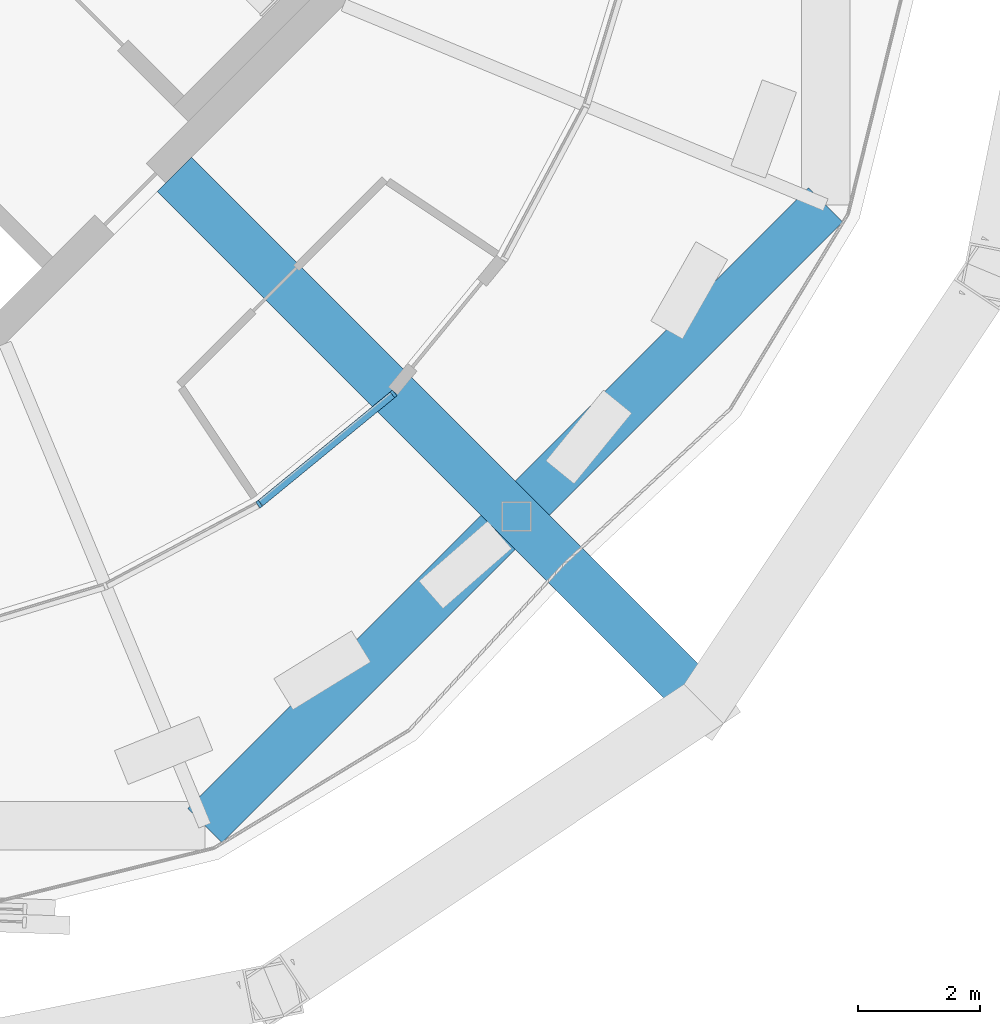
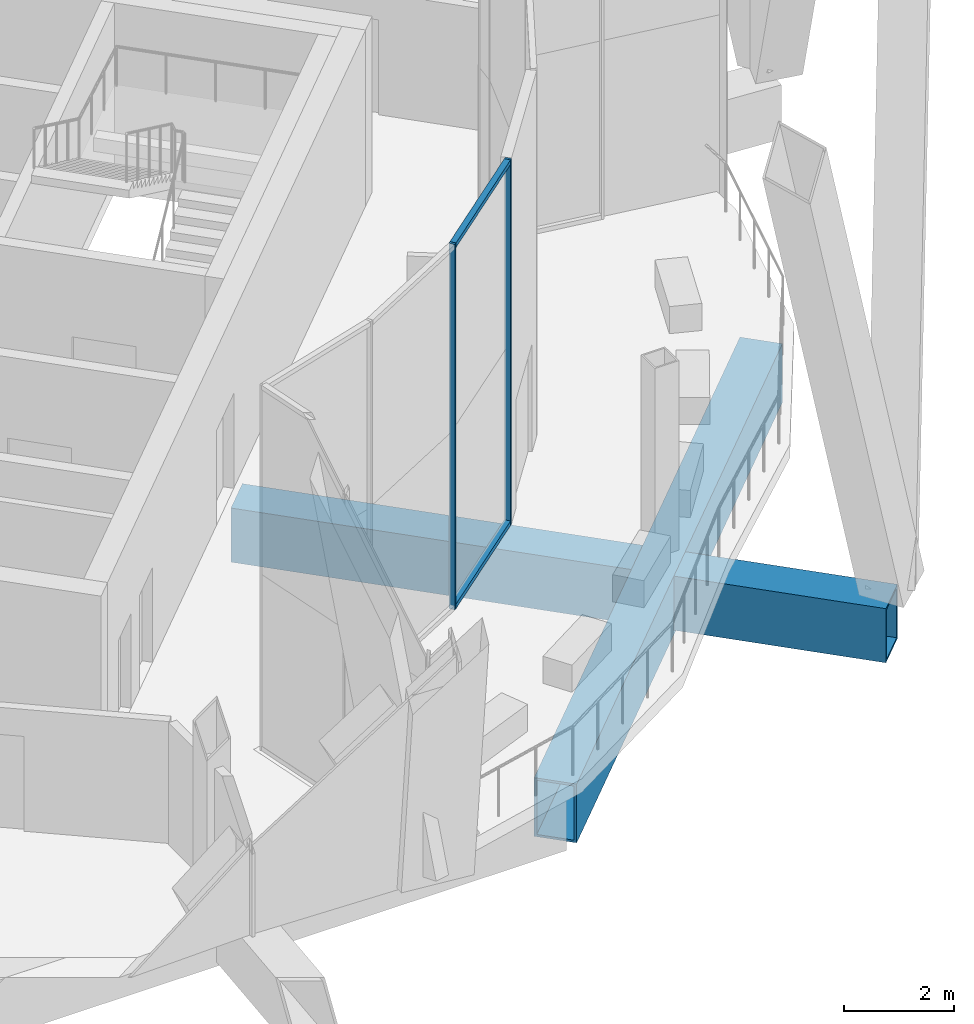
# One storey, part 18 of 38: 4 members, 2 beams, 1 element without a shape of its own.
"""IFC4 building model written with IfcOpenShell, lengths in metres."""

from ifc_helpers import new_model, si_unit, direction, frame, origin, origin_2d, place, context, subcontext, project, spatial, rectangle, hollow_rectangle, extrude, material, material_profile, profile_set, type_object, element, aggregate, save


model = new_model("IFC4")

# Units and contexts
model_context = context("Model", 3, precision=1e-05, world=origin(), true_north=direction((0.0, 1.0)))
body_context = subcontext(model_context, "Body", "Model", "MODEL_VIEW")
ifc_project = project(units=[si_unit("LENGTHUNIT", "METRE"), si_unit("AREAUNIT", "SQUARE_METRE"), si_unit("VOLUMEUNIT", "CUBIC_METRE"), si_unit("PLANEANGLEUNIT", "RADIAN"), si_unit("MASSUNIT", "GRAM", prefix="KILO")], contexts=[model_context])

# Site, building, storey
site_placement = place(None, origin())
site = spatial("IfcSite", under=ifc_project, at=site_placement, CompositionType="ELEMENT")
building_placement = place(site_placement, origin())
building = spatial("IfcBuilding", under=site, at=building_placement, Name="Ogive Gate Towers", CompositionType="ELEMENT")
storey_placement = place(building_placement, frame((0.0, 0.0, 268.800048828125)))
storey = spatial("IfcBuildingStorey", under=building, at=storey_placement, Name="L63", CompositionType="ELEMENT", Elevation=268.800048828125)

# Beam
ifc_material_1 = material(Name="Steel SM460", Category="steel")
ifc_material_profile_1 = material_profile(ifc_material_1, hollow_rectangle(XDim=0.800048828125, YDim=1.300048828125, WallThickness=0.050048828125, at=origin_2d()), Name="BX 1300x800x50")
ifc_profile_set_1 = profile_set([ifc_material_profile_1], Name="Steel SM460")
beam_type_1 = type_object("IfcBeamType", Name="Edge girder BX 1300x800x50", PredefinedType="BEAM", material=ifc_profile_set_1)
beam_1_placement = place(storey_placement, frame((43.217529296875, -17.42431640625, -0.949951171875), z_axis=(0.707106781187, 0.707106781187, 0.0), x_axis=(-0.707106781187, 0.707106781187, 0.0)))
element("IfcBeam", 1, at=beam_1_placement, inside=storey, type_object=beam_type_1, Name="T2/L63/SBM019", PredefinedType="BEAM", context=body_context, shape_type="SweptSolid", body=[
    extrude(hollow_rectangle(XDim=0.800048828125, YDim=1.300048828125, WallThickness=0.050048828125, at=origin_2d()), origin(), (0.0, 0.0, 1.0), 14.4345703125),
])

# Curtain wall, members
ifc_material_2 = material(Name="Pale metal aluminium", Category="aluminium")
curtain_wall_type = type_object("IfcCurtainWallType", Name="Sky garden glazing", PredefinedType="NOTDEFINED", material=ifc_material_2)
curtain_wall_placement = place(storey_placement, origin())
curtain_wall = element("IfcCurtainWall", 2, at=curtain_wall_placement, inside=storey, type_object=curtain_wall_type, Name="CW4 T2 ECW01", PredefinedType="NOTDEFINED")
ifc_material_profile_2 = material_profile(ifc_material_2, rectangle(XDim=0.1201171875, YDim=0.050048828125, at=origin_2d()), Name="50 x 120 aluminium box")
ifc_profile_set_2 = profile_set([ifc_material_profile_2], Name="Pale metal aluminium")
member_type_1 = type_object("IfcMemberType", Name="Sky garden glazing mullion 50 x 120", PredefinedType="MULLION", material=ifc_profile_set_2)
member_1_placement = place(storey_placement, frame((46.3212890625, -10.32666015625, 0.0), z_axis=(0.0, 0.0, 1.0), x_axis=(-0.634406775645, 0.772999380993, 0.0)))
member_1 = element("IfcMember", 3, at=member_1_placement, type_object=member_type_1, Name="CW4 mullion", PredefinedType="MULLION", context=body_context, shape_type="SweptSolid", body=[
    extrude(rectangle(XDim=0.1201171875, YDim=0.050048828125, at=origin_2d()), origin(), (0.0, 0.0, 1.0), 8.099853515625),
])
member_2_placement = place(storey_placement, frame((44.111572265625, -12.139892578125, 0.0), z_axis=(0.0, 0.0, 1.0), x_axis=(-0.55557023302, 0.831469612303, 0.0)))
member_2 = element("IfcMember", 4, at=member_2_placement, type_object=member_type_1, Name="CW4 mullion", PredefinedType="MULLION", context=body_context, shape_type="SweptSolid", body=[
    extrude(rectangle(XDim=0.1201171875, YDim=0.050048828125, at=origin_2d()), origin(), (0.0, 0.0, 1.0), 8.099853515625),
])
ifc_material_profile_3 = material_profile(ifc_material_2, rectangle(XDim=0.1201171875, YDim=0.10009765625, at=origin_2d()), Name="100 x 120 aluminium box")
ifc_profile_set_3 = profile_set([ifc_material_profile_3], Name="Pale metal aluminium")
member_type_2 = type_object("IfcMemberType", Name="Sky garden glazing transom 100 x 120", PredefinedType="USERDEFINED", material=ifc_profile_set_3)
member_3_placement = place(storey_placement, frame((46.302001953125, -10.342529296875, 8.050048828125), z_axis=(-0.773037247911, -0.634360633506, 0.0), x_axis=(0.634360633506, -0.773037247911, 0.0)))
member_3 = element("IfcMember", 5, at=member_3_placement, type_object=member_type_2, Name="CW4 transom", ObjectType="TRANSOM", PredefinedType="USERDEFINED", context=body_context, shape_type="SweptSolid", body=[
    extrude(rectangle(XDim=0.1201171875, YDim=0.10009765625, at=origin_2d()), origin(), (0.0, 0.0, 1.0), 2.804443359375),
])
member_4_placement = place(storey_placement, frame((46.302001953125, -10.342529296875, 0.050048828125), z_axis=(-0.773037247911, -0.634360633506, 0.0), x_axis=(0.634360633506, -0.773037247911, 0.0)))
member_4 = element("IfcMember", 6, at=member_4_placement, type_object=member_type_2, Name="CW4 transom", ObjectType="TRANSOM", PredefinedType="USERDEFINED", context=body_context, shape_type="SweptSolid", body=[
    extrude(rectangle(XDim=0.1201171875, YDim=0.10009765625, at=origin_2d()), origin(), (0.0, 0.0, 1.0), 2.804443359375),
])
aggregate(curtain_wall, [member_1, member_2, member_3, member_4])

# Beam
ifc_material_profile_4 = material_profile(ifc_material_1, hollow_rectangle(XDim=0.800048828125, YDim=1.199951171875, WallThickness=0.050048828125, at=origin_2d()), Name="BX 1200x800x50")
ifc_profile_set_4 = profile_set([ifc_material_profile_4], Name="Steel SM460")
beam_type_2 = type_object("IfcBeamType", Name="Transfer radial beam BX 1200x800x50", PredefinedType="BEAM", material=ifc_profile_set_4)
beam_2_placement = place(storey_placement, frame((42.717529296875, -6.717529296875, -0.900146484375), z_axis=(0.707106781187, -0.707106781187, 0.0), x_axis=(0.707106781187, 0.707106781187, 0.0)))
element("IfcBeam", 7, at=beam_2_placement, inside=storey, type_object=beam_type_2, Name="T2/L63/SBM006", PredefinedType="BEAM", context=body_context, shape_type="SweptSolid", body=[
    extrude(hollow_rectangle(XDim=0.800048828125, YDim=1.199951171875, WallThickness=0.050048828125, at=origin_2d()), origin(), (0.0, 0.0, 1.0), 12.31005859375),
])

save(model, "model.ifc")
